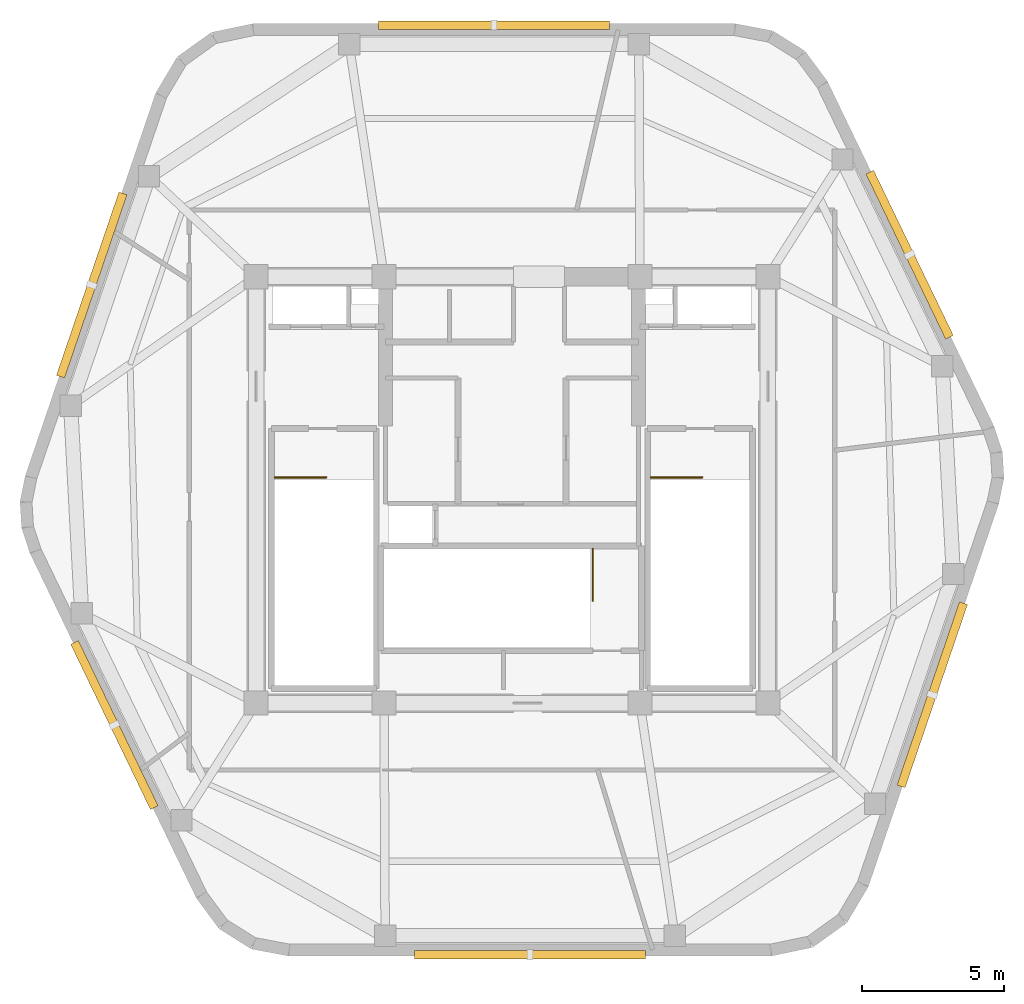
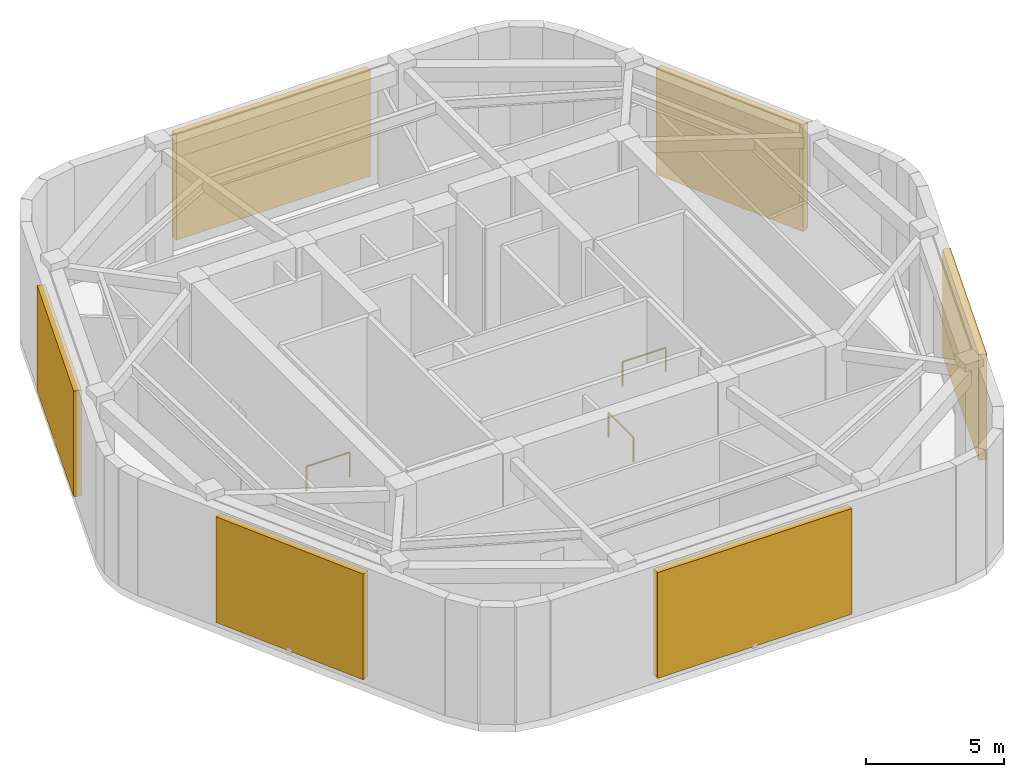
# One storey, part 4 of 4: 6 shading devices, 3 railings.
"""IFC4 building model written with IfcOpenShell, lengths in metres."""

from ifc_helpers import new_model, si_unit, direction, frame, origin, origin_2d, place, context, subcontext, project, spatial, rectangle, extrude, material, layer, layer_set, type_object, element, save


model = new_model("IFC4")

# Units and contexts
model_context = context("Model", 3, precision=1e-05, world=origin(), true_north=direction((0.0, 1.0)))
body_context = subcontext(model_context, "Body", "Model", "MODEL_VIEW")
ifc_project = project(units=[si_unit("LENGTHUNIT", "METRE"), si_unit("AREAUNIT", "SQUARE_METRE"), si_unit("VOLUMEUNIT", "CUBIC_METRE"), si_unit("PLANEANGLEUNIT", "RADIAN"), si_unit("MASSUNIT", "GRAM", prefix="KILO")], contexts=[model_context])

# Site, building, storey
site_placement = place(None, origin())
site = spatial("IfcSite", under=ifc_project, at=site_placement, CompositionType="ELEMENT")
building_placement = place(site_placement, origin())
building = spatial("IfcBuilding", under=site, at=building_placement, Name="Kilnhurst Terrace Hotel", CompositionType="ELEMENT")
storey_placement = place(building_placement, frame((0.0, 0.0, 315.89990234375)))
storey = spatial("IfcBuildingStorey", under=building, at=storey_placement, Name="L78", CompositionType="ELEMENT", Elevation=315.89990234375)

# Railings
ifc_material_1 = material(Name="Powder-Coated Steel ASTM A500 Grade B", Category="steel")
ifc_layer_1 = layer(ifc_material_1, 0.050048828125, Name="Powder-Coated Steel ASTM A500 Grade B")
ifc_layer_set_1 = layer_set([ifc_layer_1], Name="Powder-Coated Steel ASTM A500 Grade B")
railing_type = type_object("IfcRailingType", Name="RLG-ST-GRD-1100", PredefinedType="GUARDRAIL", material=ifc_layer_set_1)
for number, where, name in (
    (1, (-8.35009765625, 0.43994140625, 0.0), "L78 ST-1 top well guard 1"),
    (2, (4.8798828125, 0.43994140625, 0.0), "L78 ST-2 top well guard 1"),
):
    element("IfcRailing", number, at=place(storey_placement, frame(where)), inside=storey, type_object=railing_type, Name=name, PredefinedType="GUARDRAIL", context=body_context, shape_type="SweptSolid", body=[
        extrude(rectangle(XDim=0.048095703125, YDim=0.048095703125, at=origin_2d()), frame((0.0, 0.0, 1.076171875), z_axis=(1.0, 0.0, 0.0), x_axis=(0.0, 1.0, 0.0)), (0.0, 0.0, 1.0), 1.81005859375),
        extrude(rectangle(XDim=0.0419921875, YDim=0.0419921875, at=origin_2d()), origin(), (0.0, 0.0, 1.0), 1.052001953125),
        extrude(rectangle(XDim=0.0419921875, YDim=0.0419921875, at=origin_2d()), frame((1.81005859375, 0.0, 0.0)), (0.0, 0.0, 1.0), 1.052001953125),
    ])
railing_placement = place(storey_placement, frame((2.840087890625, -2.080078125, 0.0)))
element("IfcRailing", 3, at=railing_placement, inside=storey, type_object=railing_type, Name="L78 ST-3 top well guard 1", PredefinedType="GUARDRAIL", context=body_context, shape_type="SweptSolid", body=[
    extrude(rectangle(XDim=0.048095703125, YDim=0.048095703125, at=origin_2d()), frame((0.0, 0.0, 1.076171875), z_axis=(0.0, -1.0, 0.0), x_axis=(1.0, 0.0, 0.0)), (0.0, 0.0, 1.0), 1.809814453125),
    extrude(rectangle(XDim=0.0419921875, YDim=0.0419921875, at=origin_2d()), origin(), (0.0, 0.0, 1.0), 1.052001953125),
    extrude(rectangle(XDim=0.0419921875, YDim=0.0419921875, at=origin_2d()), frame((0.0, -1.809814453125, 0.0)), (0.0, 0.0, 1.0), 1.052001953125),
])

# Shading devices
ifc_material_2 = material(Name="Bronze Anodized Extruded Aluminium Alloy 6063-T6", Category="aluminium")
ifc_layer_2 = layer(ifc_material_2, 0.300048828125, Name="Bronze Anodized Extruded Aluminium Alloy 6063-T6")
ifc_layer_set_2 = layer_set([ifc_layer_2], Name="Bronze Anodized Extruded Aluminium Alloy 6063-T6")
shading_device_type = type_object("IfcShadingDeviceType", Name="SHD-LVR-4680", PredefinedType="USERDEFINED", material=ifc_layer_set_2)
shading_device_1_placement = place(storey_placement, frame((0.632568359375, -16.35009765625, 0.25), z_axis=(0.0, 0.0, 1.0), x_axis=(1.0, 0.0, 0.0)))
element("IfcShadingDevice", 4, at=shading_device_1_placement, inside=storey, type_object=shading_device_type, Name="L78 Mechanical Intake Storm Louvre F1", ObjectType="LOUVRE", PredefinedType="USERDEFINED", context=body_context, shape_type="SweptSolid", body=[
    extrude(rectangle(XDim=8.134033203125, YDim=0.300048828125, at=origin_2d()), origin(), (0.0, 0.0, 1.0), 4.679931640625),
])
shading_device_2_placement = place(storey_placement, frame((14.783447265625, -7.208251953125, 0.25), z_axis=(0.0, 0.0, 1.0), x_axis=(0.322546557531, 0.946553600292, 0.0)))
element("IfcShadingDevice", 5, at=shading_device_2_placement, inside=storey, type_object=shading_device_type, Name="L78 Mechanical Intake Storm Louvre F2", ObjectType="LOUVRE", PredefinedType="USERDEFINED", context=body_context, shape_type="SweptSolid", body=[
    extrude(rectangle(XDim=6.81103515625, YDim=0.300048828125, at=origin_2d()), origin(), (0.0, 0.0, 1.0), 4.679931640625),
])
shading_device_3_placement = place(storey_placement, frame((13.98681640625, 8.273193359375, 0.25), z_axis=(0.0, 0.0, 1.0), x_axis=(-0.434665326531, 0.900592057433, 0.0)))
element("IfcShadingDevice", 6, at=shading_device_3_placement, inside=storey, type_object=shading_device_type, Name="L78 Mechanical Intake Storm Louvre F3", ObjectType="LOUVRE", PredefinedType="USERDEFINED", context=body_context, shape_type="SweptSolid", body=[
    extrude(rectangle(XDim=6.450927734375, YDim=0.300048828125, at=origin_2d()), origin(), (0.0, 0.0, 1.0), 4.679931640625),
])
shading_device_4_placement = place(storey_placement, frame((-0.632568359375, 16.35009765625, 0.25), z_axis=(0.0, 0.0, 1.0), x_axis=(-1.0, 0.0, 0.0)))
element("IfcShadingDevice", 7, at=shading_device_4_placement, inside=storey, type_object=shading_device_type, Name="L78 Mechanical Intake Storm Louvre F4", ObjectType="LOUVRE", PredefinedType="USERDEFINED", context=body_context, shape_type="SweptSolid", body=[
    extrude(rectangle(XDim=8.134033203125, YDim=0.300048828125, at=origin_2d()), origin(), (0.0, 0.0, 1.0), 4.679931640625),
])
shading_device_5_placement = place(storey_placement, frame((-14.783447265625, 7.208251953125, 0.25), z_axis=(0.0, 0.0, 1.0), x_axis=(-0.322546557531, -0.946553600292, 0.0)))
element("IfcShadingDevice", 8, at=shading_device_5_placement, inside=storey, type_object=shading_device_type, Name="L78 Mechanical Intake Storm Louvre F5", ObjectType="LOUVRE", PredefinedType="USERDEFINED", context=body_context, shape_type="SweptSolid", body=[
    extrude(rectangle(XDim=6.81103515625, YDim=0.300048828125, at=origin_2d()), origin(), (0.0, 0.0, 1.0), 4.679931640625),
])
shading_device_6_placement = place(storey_placement, frame((-13.98681640625, -8.273193359375, 0.25), z_axis=(0.0, 0.0, 1.0), x_axis=(0.434665326531, -0.900592057433, 0.0)))
element("IfcShadingDevice", 9, at=shading_device_6_placement, inside=storey, type_object=shading_device_type, Name="L78 Mechanical Intake Storm Louvre F6", ObjectType="LOUVRE", PredefinedType="USERDEFINED", context=body_context, shape_type="SweptSolid", body=[
    extrude(rectangle(XDim=6.450927734375, YDim=0.300048828125, at=origin_2d()), origin(), (0.0, 0.0, 1.0), 4.679931640625),
])

save(model, "model.ifc")
